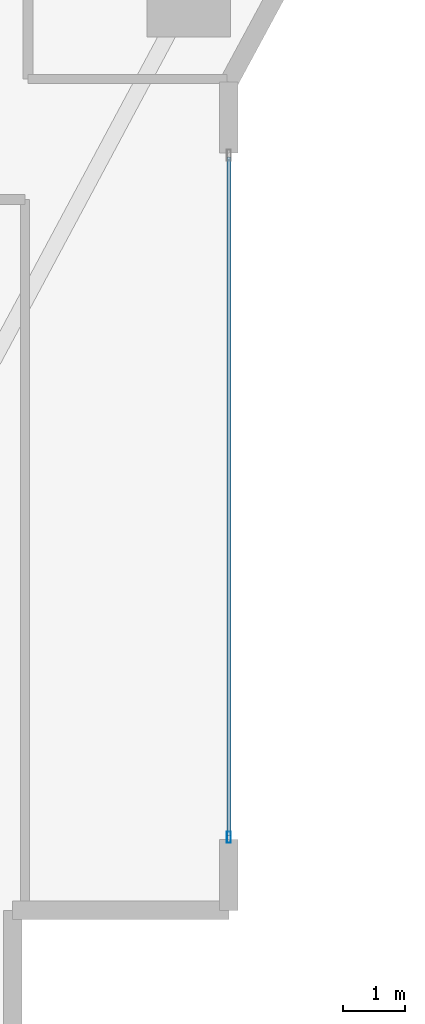
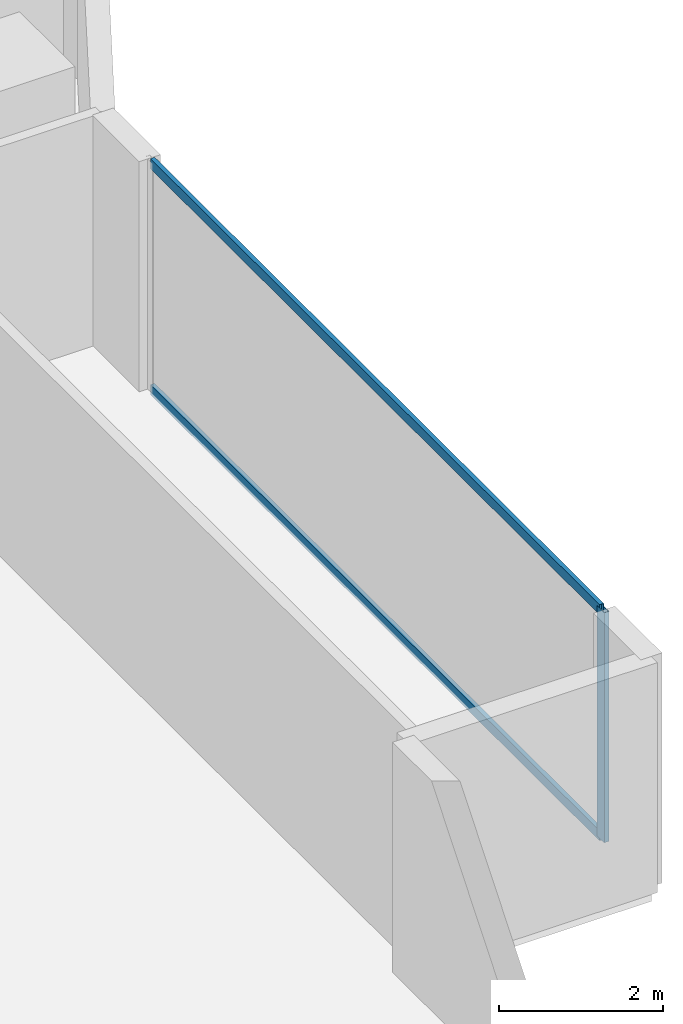
# One storey, part 11 of 27: 3 members, 1 element without a shape of its own.
"""IFC4 building model written with IfcOpenShell, lengths in metres."""

from ifc_helpers import new_model, si_unit, direction, frame, origin, origin_2d, place, context, subcontext, project, spatial, hollow_rectangle, extrude, material, layer, layer_set, material_profile, profile_set, type_object, element, aggregate, save


model = new_model("IFC4")

# Units and contexts
model_context = context("Model", 3, precision=1e-05, world=origin(), true_north=direction((0.0, 1.0)))
body_context = subcontext(model_context, "Body", "Model", "MODEL_VIEW")
ifc_project = project(units=[si_unit("LENGTHUNIT", "METRE"), si_unit("AREAUNIT", "SQUARE_METRE"), si_unit("VOLUMEUNIT", "CUBIC_METRE"), si_unit("PLANEANGLEUNIT", "RADIAN"), si_unit("MASSUNIT", "GRAM", prefix="KILO")], contexts=[model_context])

# Site, building, storey
site_placement = place(None, origin())
site = spatial("IfcSite", under=ifc_project, at=site_placement, CompositionType="ELEMENT")
building_placement = place(site_placement, origin())
building = spatial("IfcBuilding", under=site, at=building_placement, Name="Zuhayl Quay Hotel", CompositionType="ELEMENT")
storey_placement = place(building_placement, frame((0.0, 0.0, 117.550048828125)))
storey = spatial("IfcBuildingStorey", under=building, at=storey_placement, Name="L29", CompositionType="ELEMENT", Elevation=117.550048828125)

# Curtain wall, members
ifc_material_1 = material(Name="Anodised Aluminium 6063-T6", Category="aluminium")
ifc_layer = layer(ifc_material_1, 0.179931640625, Name="Anodised Aluminium 6063-T6", Category="aluminium")
ifc_layer_set = layer_set([ifc_layer], Name="Anodised Aluminium 6063-T6")
curtain_wall_type = type_object("IfcCurtainWallType", Name="CW_SYS_Z2", PredefinedType="USERDEFINED", material=ifc_layer_set)
curtain_wall_placement = place(storey_placement, origin())
curtain_wall = element("IfcCurtainWall", 1, at=curtain_wall_placement, inside=storey, type_object=curtain_wall_type, Name="L29 Curtain Wall ENV_L29_E14_CW1", ObjectType="UNITISED CURTAIN WALL", PredefinedType="USERDEFINED")
ifc_material_2 = material(Name="Black-anodised aluminium 6063-T6", Category="aluminium")
ifc_material_profile_1 = material_profile(ifc_material_2, hollow_rectangle(XDim=0.06494140625, YDim=0.179931640625, WallThickness=0.00341796875, at=origin_2d()), Name="ALU180X65")
ifc_profile_set_1 = profile_set([ifc_material_profile_1], Name="Black-anodised aluminium 6063-T6")
member_type_1 = type_object("IfcMemberType", Name="MB_CW_MUL_180", PredefinedType="MULLION", material=ifc_profile_set_1)
member_1_placement = place(storey_placement, frame((23.89990234375, -10.717529296875, 0.0), z_axis=(0.0, 0.0, 1.0), x_axis=(1.0, 0.0, 0.0)))
member_1 = element("IfcMember", 2, at=member_1_placement, type_object=member_type_1, Name="CW-Z2 mullion 2", PredefinedType="MULLION", context=body_context, shape_type="SweptSolid", body=[
    extrude(hollow_rectangle(XDim=0.06494140625, YDim=0.179931640625, WallThickness=0.00341796875, at=origin_2d()), origin(), (0.0, 0.0, 1.0), 3.429931640625),
])
ifc_material_profile_2 = material_profile(ifc_material_2, hollow_rectangle(XDim=0.06005859375, YDim=0.14990234375, WallThickness=0.00341796875, at=origin_2d()), Name="ALU150X60")
ifc_profile_set_2 = profile_set([ifc_material_profile_2], Name="Black-anodised aluminium 6063-T6")
member_type_2 = type_object("IfcMemberType", Name="MB_CW_TRN_150", PredefinedType="USERDEFINED", material=ifc_profile_set_2)
member_2_placement = place(storey_placement, frame((23.89990234375, 0.284912109375, 0.030029296875), z_axis=(0.0, -1.0, 0.0), x_axis=(1.0, 0.0, 0.0)))
member_2 = element("IfcMember", 3, at=member_2_placement, type_object=member_type_2, Name="CW-Z2 transom 1.1", ObjectType="TRANSOM", PredefinedType="USERDEFINED", context=body_context, shape_type="SweptSolid", body=[
    extrude(hollow_rectangle(XDim=0.06005859375, YDim=0.14990234375, WallThickness=0.00341796875, at=origin_2d()), origin(), (0.0, 0.0, 1.0), 10.969970703125),
])
member_3_placement = place(storey_placement, frame((23.89990234375, 0.284912109375, 3.39990234375), z_axis=(0.0, -1.0, 0.0), x_axis=(1.0, 0.0, 0.0)))
member_3 = element("IfcMember", 4, at=member_3_placement, type_object=member_type_2, Name="CW-Z2 transom 1.2", ObjectType="TRANSOM", PredefinedType="USERDEFINED", context=body_context, shape_type="SweptSolid", body=[
    extrude(hollow_rectangle(XDim=0.06005859375, YDim=0.14990234375, WallThickness=0.00341796875, at=origin_2d()), origin(), (0.0, 0.0, 1.0), 10.969970703125),
])
aggregate(curtain_wall, [member_1, member_2, member_3])

save(model, "model.ifc")
